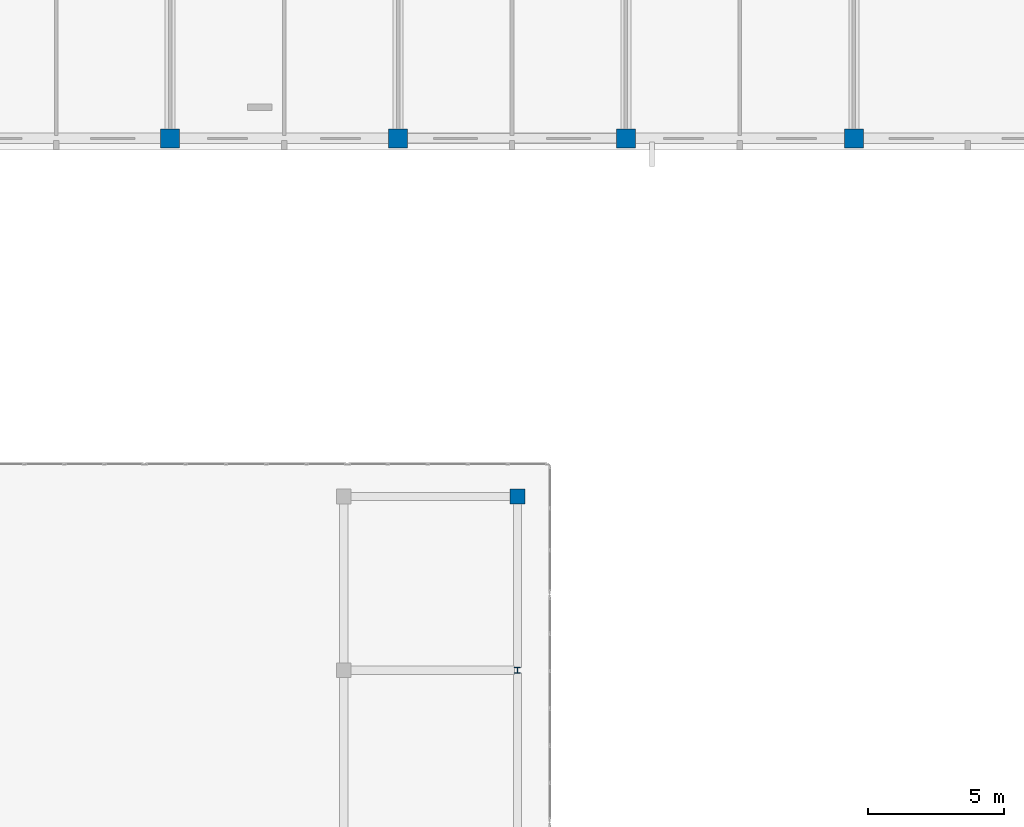
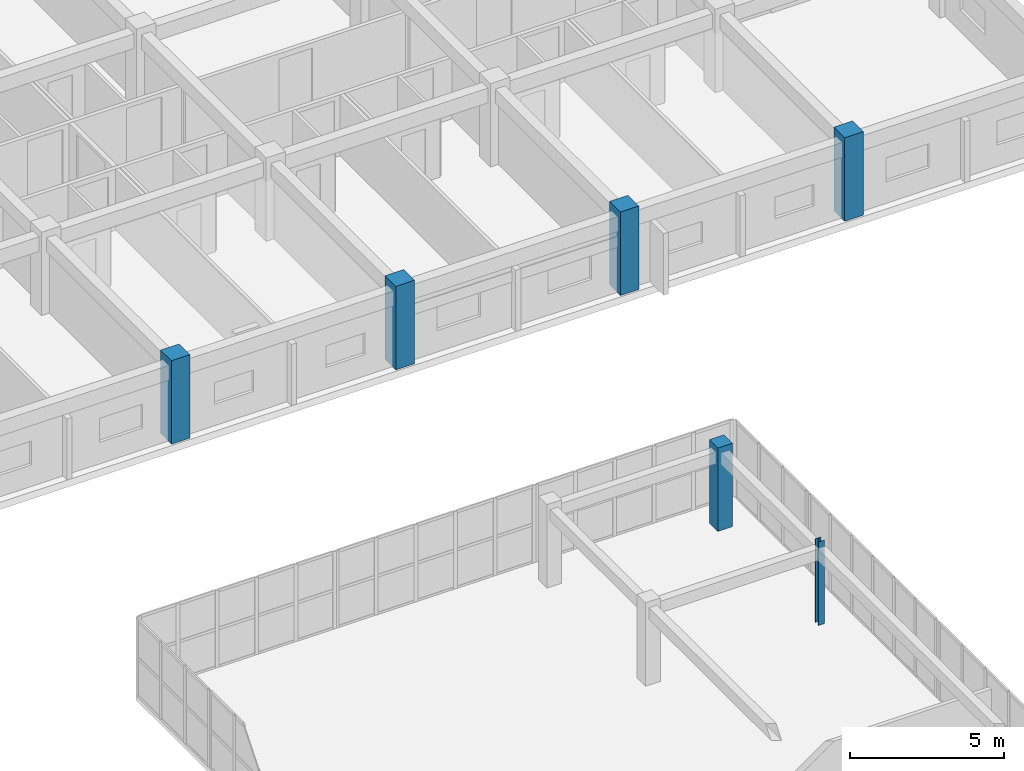
# One storey, part 10 of 148: 6 columns.
"""IFC4 building model written with IfcOpenShell, lengths in metres."""

from ifc_helpers import new_model, si_unit, direction, frame, origin, origin_2d, place, context, subcontext, project, spatial, rectangle, i_section, extrude, material, material_profile, profile_set, type_object, element, save


model = new_model("IFC4")

# Units and contexts
model_context = context("Model", 3, precision=1e-05, world=origin(), true_north=direction((0.0, 1.0)))
body_context = subcontext(model_context, "Body", "Model", "MODEL_VIEW")
ifc_project = project(units=[si_unit("LENGTHUNIT", "METRE"), si_unit("AREAUNIT", "SQUARE_METRE"), si_unit("VOLUMEUNIT", "CUBIC_METRE"), si_unit("PLANEANGLEUNIT", "RADIAN"), si_unit("MASSUNIT", "GRAM", prefix="KILO")], contexts=[model_context])

# Site, building, storey
site_placement = place(None, origin())
site = spatial("IfcSite", under=ifc_project, at=site_placement, CompositionType="ELEMENT")
building_placement = place(site_placement, origin())
building = spatial("IfcBuilding", under=site, at=building_placement, Name="Trelvath General Hospital", CompositionType="ELEMENT")
storey_placement = place(building_placement, frame((0.0, 0.0, 12.89990234375)))
storey = spatial("IfcBuildingStorey", under=building, at=storey_placement, Name="L03", CompositionType="ELEMENT", Elevation=12.89990234375)

# Columns
ifc_material_1 = material(Name="Concrete C40/50", Category="concrete")
ifc_material_profile_1 = material_profile(ifc_material_1, rectangle(XDim=0.550048828125, YDim=0.550048828125, at=origin_2d()), Name="RC550x550")
ifc_profile_set_1 = profile_set([ifc_material_profile_1], Name="Concrete C40/50")
column_type_1 = type_object("IfcColumnType", Name="Column RC550", PredefinedType="COLUMN", material=ifc_profile_set_1)
column_1_placement = place(storey_placement, frame((113.60009765625, 79.199951171875, 0.0), z_axis=(0.0, 0.0, 1.0), x_axis=(1.0, 0.0, 0.0)))
element("IfcColumn", 1, at=column_1_placement, inside=storey, type_object=column_type_1, Name="Cube Interior Column CC-E10 L03", PredefinedType="COLUMN", context=body_context, shape_type="SweptSolid", body=[
    extrude(rectangle(XDim=0.550048828125, YDim=0.550048828125, at=origin_2d()), origin(), (0.0, 0.0, 1.0), 3.300048828125),
])
ifc_material_2 = material(Name="Concrete C40/50", Category="concrete")
ifc_material_profile_2 = material_profile(ifc_material_2, rectangle(XDim=0.699951171875, YDim=0.699951171875, at=origin_2d()), Name="RC700x700")
ifc_profile_set_2 = profile_set([ifc_material_profile_2], Name="Concrete C40/50")
column_type_2 = type_object("IfcColumnType", Name="Column RC700", PredefinedType="COLUMN", material=ifc_profile_set_2)
for number, where, z_axis, x_axis, name in (
    (2, (100.800048828125, 92.39990234375, 0.0), (0.0, 0.0, 1.0), (1.0, 0.0, 0.0), "Column C-13L L03"),
    (3, (109.199951171875, 92.39990234375, 0.0), (0.0, 0.0, 1.0), (1.0, 0.0, 0.0), "Column C-14L L03"),
    (4, (117.60009765625, 92.39990234375, 0.0), (0.0, 0.0, 1.0), (1.0, 0.0, 0.0), "Column C-15L L03"),
    (5, (126.0, 92.39990234375, 0.0), (0.0, 0.0, 1.0), (1.0, 0.0, 0.0), "Column C-16L L03"),
):
    element("IfcColumn", number, at=place(storey_placement, frame(where, z_axis=z_axis, x_axis=x_axis)), inside=storey, type_object=column_type_2, Name=name, PredefinedType="COLUMN", context=body_context, shape_type="SweptSolid", body=[
        extrude(rectangle(XDim=0.699951171875, YDim=0.699951171875, at=origin_2d()), origin(), (0.0, 0.0, 1.0), 3.300048828125),
    ])
ifc_material_3 = material(Name="Steel S355", Category="steel")
ifc_material_profile_3 = material_profile(ifc_material_3, i_section(OverallWidth=0.219970703125, OverallDepth=0.219970703125, WebThickness=0.009521484375, FlangeThickness=0.01611328125, at=origin_2d()), Name="HEB220")
ifc_profile_set_3 = profile_set([ifc_material_profile_3], Name="Steel S355")
column_type_3 = type_object("IfcColumnType", Name="CubePost HEB220", PredefinedType="COLUMN", material=ifc_profile_set_3)
column_2_placement = place(storey_placement, frame((113.60009765625, 72.800048828125, 0.0), z_axis=(0.0, 0.0, 1.0), x_axis=(1.0, 0.0, 0.0)))
element("IfcColumn", 6, at=column_2_placement, inside=storey, type_object=column_type_3, Name="Cube Interior Column CC-E09 L03", PredefinedType="COLUMN", context=body_context, shape_type="SweptSolid", body=[
    extrude(i_section(OverallWidth=0.219970703125, OverallDepth=0.219970703125, WebThickness=0.009521484375, FlangeThickness=0.01611328125, at=origin_2d()), origin(), (0.0, 0.0, 1.0), 3.300048828125),
])

save(model, "model.ifc")
